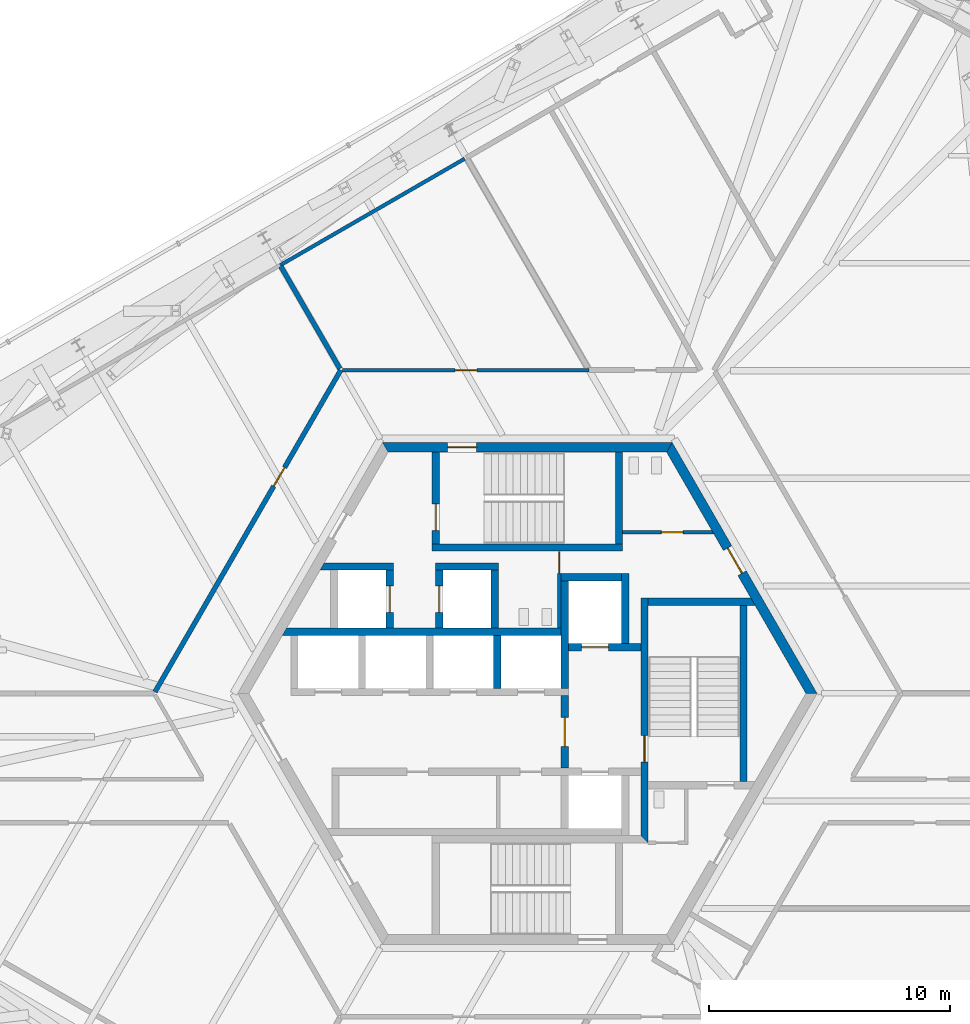
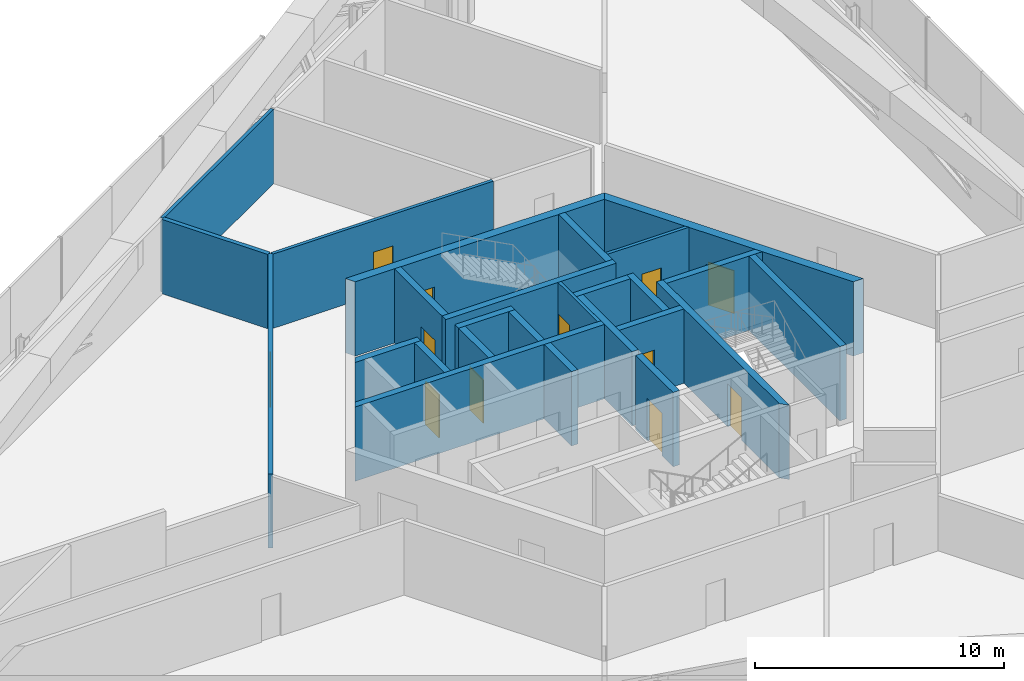
# One storey, part 16 of 23: 26 walls, 12 doors, 12 openings.
"""IFC4 building model written with IfcOpenShell, lengths in metres."""

from ifc_helpers import new_model, si_unit, direction, frame, frame_2d, origin, place, context, subcontext, project, spatial, polyline, rectangle, outline, extrude, source, transform, mapped, material, layer, layer_set, type_object, element, fill, save


model = new_model("IFC4")

# Units and contexts
model_context = context("Model", 3, precision=1e-05, world=origin(), true_north=direction((0.0, 1.0)))
body_context = subcontext(model_context, "Body", "Model", "MODEL_VIEW")
ifc_project = project(units=[si_unit("LENGTHUNIT", "METRE"), si_unit("AREAUNIT", "SQUARE_METRE"), si_unit("VOLUMEUNIT", "CUBIC_METRE"), si_unit("PLANEANGLEUNIT", "RADIAN"), si_unit("MASSUNIT", "GRAM", prefix="KILO")], contexts=[model_context])

# Site, building, storey
site_placement = place(None, origin())
site = spatial("IfcSite", under=ifc_project, at=site_placement, CompositionType="ELEMENT")
building_placement = place(site_placement, origin())
building = spatial("IfcBuilding", under=site, at=building_placement, Name="Triune Harvest Tower", CompositionType="ELEMENT")
storey_placement = place(building_placement, frame((0.0, 0.0, 54.699951171875)))
storey = spatial("IfcBuildingStorey", under=building, at=storey_placement, Name="L12", CompositionType="ELEMENT", Elevation=54.699951171875)

# Wall, opening, door
ifc_material_1 = material(Name="Gypsum board on steel studs", Category="steel")
ifc_layer_1 = layer(ifc_material_1, 0.14990234375)
ifc_layer_set_1 = layer_set([ifc_layer_1], Name="Gypsum board on steel studs")
wall_type_1 = type_object("IfcWallType", Name="Fire Partition 150 mm", PredefinedType="PARTITIONING", material=ifc_layer_set_1)
wall_1_placement = place(storey_placement, frame((-7.662109375, 13.392333984375, 0.0), z_axis=(0.0, 0.0, 1.0), x_axis=(1.0, 0.0, 0.0)))
wall_1 = element("IfcWall", 1, at=wall_1_placement, inside=storey, type_object=wall_type_1, Name="Partition L12 027", PredefinedType="PARTITIONING", context=body_context, shape_type="SweptSolid", body=[
    extrude(rectangle(XDim=10.215087890625, YDim=0.14990234375, at=frame_2d((5.107421875, 0.0))), origin(), (0.0, 0.0, 1.0), 3.64013671875),
])
opening_1_placement = place(wall_1_placement, frame((4.66845703125, 0.0, 0.0)))
opening_1 = element("IfcOpeningElement", 2, at=opening_1_placement, cuts=wall_1, Name="Opening L12-009", PredefinedType="OPENING", context=body_context, shape_type="SweptSolid", body=[
    extrude(rectangle(XDim=0.89990234375, YDim=2.10009765625, at=frame_2d((0.449951171875, 1.050048828125))), frame((0.0, 0.0849609375, 0.0), z_axis=(0.0, -1.0, 0.0), x_axis=(1.0, 0.0, 0.0)), (0.0, 0.0, 1.0), 0.169921875),
])
ifc_material_2 = material(Name="Timber and steel door set", Category="steel")
door_type_1 = type_object("IfcDoorType", Name="Single leaf door FD30 right hand 900 x 2100", OperationType="SINGLE_SWING_RIGHT", PredefinedType="DOOR", material=ifc_material_2)
door_1_placement = place(opening_1_placement, origin())
door_1 = element("IfcDoor", 3, at=door_1_placement, inside=storey, type_object=door_type_1, Name="Door L12-009 Dry Store Room 12.09", OperationType="SINGLE_SWING_RIGHT", OverallHeight=2.10009765625, OverallWidth=0.89990234375, PredefinedType="DOOR", context=body_context, shape_type="SweptSolid", body=[
    extrude(rectangle(XDim=0.89990234375, YDim=2.10009765625, at=frame_2d((0.449951171875, 1.050048828125))), frame((0.0, 0.02490234375, 0.0), z_axis=(0.0, -1.0, 0.0), x_axis=(1.0, 0.0, 0.0)), (0.0, 0.0, 1.0), 0.050048828125),
])
fill(opening_1, door_1)

# Walls
wall_2_placement = place(storey_placement, frame((-10.238037109375, 17.739013671875, 0.0), z_axis=(0.0, 0.0, 1.0), x_axis=(0.866026163676, 0.499998683827, 0.0)))
element("IfcWall", 4, at=wall_2_placement, inside=storey, type_object=wall_type_1, Name="Partition L12 033", PredefinedType="PARTITIONING", context=body_context, shape_type="SweptSolid", body=[
    extrude(rectangle(XDim=8.82373046875, YDim=0.14990234375, at=frame_2d((4.411865234375, 0.0))), origin(), (0.0, 0.0, 1.0), 3.64013671875),
])
ifc_material_3 = material(Name="Gypsum board on steel studs", Category="steel")
ifc_layer_2 = layer(ifc_material_3, 0.199951171875)
ifc_layer_set_2 = layer_set([ifc_layer_2], Name="Gypsum board on steel studs")
wall_type_2 = type_object("IfcWallType", Name="Fire Wall 200 mm", PredefinedType="PARTITIONING", material=ifc_layer_set_2)
wall_3_placement = place(storey_placement, frame((-10.215576171875, 17.694091796875, 0.0), z_axis=(0.0, 0.0, 1.0), x_axis=(0.500010136897, -0.866019551165, 0.0)))
element("IfcWall", 5, at=wall_3_placement, inside=storey, type_object=wall_type_2, Name="Partition L12 003", PredefinedType="PARTITIONING", context=body_context, shape_type="SweptSolid", body=[
    extrude(rectangle(XDim=4.8974609375, YDim=0.199951171875, at=frame_2d((2.44873046875, 0.0))), origin(), (0.0, 0.0, 1.0), 3.64013671875),
])

# Wall, opening, door
ifc_material_4 = material(Name="Concrete 70 MPa", Category="concrete")
ifc_layer_3 = layer(ifc_material_4, 0.39990234375)
ifc_layer_set_3 = layer_set([ifc_layer_3], Name="Concrete 70 MPa")
wall_type_3 = type_object("IfcWallType", Name="Core wall 400", PredefinedType="SHEAR", material=ifc_layer_set_3)
shared_shape_1 = source(origin(), body_context, "Body", "SweptSolid", [
    extrude(outline(polyline([(-0.115478515625, -0.199951171875), (11.884521484375, -0.199951171875), (11.653564453125, 0.199951171875), (0.115478515625, 0.199951171875), (-0.115478515625, -0.199951171875)])), origin(), (0.0, 0.0, 1.0), 3.64013671875),
])
wall_4_placement = place(storey_placement, frame((11.76904296875, 0.0, 0.0), z_axis=(0.0, 0.0, 1.0), x_axis=(-0.499996592174, 0.866027371285, 0.0)))
wall_4 = element("IfcWall", 6, at=wall_4_placement, inside=storey, type_object=wall_type_3, Name="Hexagon 0 wall", PredefinedType="SHEAR", context=body_context, shape_type="MappedRepresentation", body=[
    mapped(shared_shape_1, transform((0.0, 0.0, 0.0), scale=1.0)),
])
opening_2_placement = place(wall_4_placement, frame((5.75048828125, 0.0, 0.0)))
opening_2 = element("IfcOpeningElement", 7, at=opening_2_placement, cuts=wall_4, Name="Opening CD-WCP", PredefinedType="OPENING", context=body_context, shape_type="SweptSolid", body=[
    extrude(rectangle(XDim=1.199951171875, YDim=2.10009765625, at=frame_2d((0.60009765625, 1.050048828125))), frame((0.0, 0.2099609375, 0.0), z_axis=(0.0, -1.0, 0.0), x_axis=(1.0, 0.0, 0.0)), (0.0, 0.0, 1.0), 0.419921875),
])
ifc_material_5 = material(Name="Steel S235", Category="steel")
door_type_2 = type_object("IfcDoorType", Name="Lobby door 1200 FD120", OperationType="SINGLE_SWING_LEFT", PredefinedType="DOOR", material=ifc_material_5)
door_2_placement = place(opening_2_placement, frame((1.199951171875, 0.0, 0.0), z_axis=(0.0, 0.0, 1.0), x_axis=(-1.0, 0.0, 0.0)))
door_2 = element("IfcDoor", 8, at=door_2_placement, inside=storey, type_object=door_type_2, Name="Door CD-WCP", OperationType="SINGLE_SWING_RIGHT", OverallHeight=2.10009765625, OverallWidth=1.199951171875, PredefinedType="DOOR", context=body_context, shape_type="SweptSolid", body=[
    extrude(rectangle(XDim=1.199951171875, YDim=2.10009765625, at=frame_2d((0.60009765625, 1.050048828125))), frame((0.0, 0.02490234375, 0.0), z_axis=(0.0, -1.0, 0.0), x_axis=(1.0, 0.0, 0.0)), (0.0, 0.0, 1.0), 0.050048828125),
])
fill(opening_2, door_2)

wall_5_placement = place(storey_placement, frame((5.884521484375, 10.1923828125, 0.0), z_axis=(0.0, 0.0, 1.0), x_axis=(-1.0, 0.0, 0.0)))
wall_5 = element("IfcWall", 9, at=wall_5_placement, inside=storey, type_object=wall_type_3, Name="Hexagon 1 wall", PredefinedType="SHEAR", context=body_context, shape_type="MappedRepresentation", body=[
    mapped(shared_shape_1, transform((0.0, 0.0, 0.0), scale=1.0)),
])
opening_3_placement = place(wall_5_placement, frame((7.984619140625, 0.0, 0.0)))
opening_3 = element("IfcOpeningElement", 10, at=opening_3_placement, cuts=wall_5, Name="Opening CD-S1P", PredefinedType="OPENING", context=body_context, shape_type="SweptSolid", body=[
    extrude(rectangle(XDim=1.199951171875, YDim=2.10009765625, at=frame_2d((0.60009765625, 1.050048828125))), frame((0.0, 0.2099609375, 0.0), z_axis=(0.0, -1.0, 0.0), x_axis=(1.0, 0.0, 0.0)), (0.0, 0.0, 1.0), 0.419921875),
])
ifc_material_6 = material(Name="Steel S235", Category="steel")
door_type_3 = type_object("IfcDoorType", Name="Stair door 1200 FD120", OperationType="SINGLE_SWING_LEFT", PredefinedType="DOOR", material=ifc_material_6)
door_3_placement = place(opening_3_placement, frame((1.199951171875, 0.0, 0.0), z_axis=(0.0, 0.0, 1.0), x_axis=(-1.0, 0.0, 0.0)))
door_3 = element("IfcDoor", 11, at=door_3_placement, inside=storey, type_object=door_type_3, Name="Door CD-S1P", OperationType="SINGLE_SWING_RIGHT", OverallHeight=2.10009765625, OverallWidth=1.199951171875, PredefinedType="DOOR", context=body_context, shape_type="SweptSolid", body=[
    extrude(rectangle(XDim=1.199951171875, YDim=2.10009765625, at=frame_2d((0.60009765625, 1.050048828125))), frame((0.0, 0.02490234375, 0.0), z_axis=(0.0, -1.0, 0.0), x_axis=(1.0, 0.0, 0.0)), (0.0, 0.0, 1.0), 0.050048828125),
])
fill(opening_3, door_3)

# Walls
ifc_material_7 = material(Name="Concrete 70 MPa", Category="concrete")
ifc_layer_4 = layer(ifc_material_7, 0.300048828125)
ifc_layer_set_4 = layer_set([ifc_layer_4], Name="Concrete 70 MPa")
wall_type_4 = type_object("IfcWallType", Name="Core wall 300", PredefinedType="SHEAR", material=ifc_layer_set_4)
shared_shape_2 = source(origin(), body_context, "Body", "SweptSolid", [
    extrude(outline(polyline([(11.199951171875, -0.14990234375), (-0.34912109375, -0.14990234375), (-0.17578125, 0.14990234375), (11.199951171875, 0.14990234375), (11.199951171875, -0.14990234375)])), origin(), (0.0, 0.0, 1.0), 3.64013671875),
])
wall_6_placement = place(storey_placement, frame((-9.800048828125, 2.56005859375, 0.0), z_axis=(0.0, 0.0, 1.0), x_axis=(1.0, 0.0, 0.0)))
element("IfcWall", 12, at=wall_6_placement, inside=storey, type_object=wall_type_4, Name="North back wall", PredefinedType="SHEAR", context=body_context, shape_type="MappedRepresentation", body=[
    mapped(shared_shape_2, transform((0.0, 0.0, 0.0), scale=1.0)),
])
shared_shape_3 = source(origin(), body_context, "Body", "SweptSolid", [
    extrude(rectangle(XDim=2.5, YDim=0.300048828125, at=frame_2d((1.25, 0.0))), origin(), (0.0, 0.0, 1.0), 3.64013671875),
])
wall_7_placement = place(storey_placement, frame((1.39990234375, 4.81005859375, 0.0), z_axis=(0.0, 0.0, 1.0), x_axis=(1.0, 0.0, 0.0)))
element("IfcWall", 13, at=wall_7_placement, inside=storey, type_object=wall_type_4, Name="Ff1 back wall", PredefinedType="SHEAR", context=body_context, shape_type="MappedRepresentation", body=[
    mapped(shared_shape_3, transform((0.0, 0.0, 0.0), scale=1.0)),
])
shared_shape_4 = source(origin(), body_context, "Body", "SweptSolid", [
    extrude(rectangle(XDim=4.449951171875, YDim=0.300048828125, at=frame_2d((2.22509765625, 0.0))), origin(), (0.0, 0.0, 1.0), 3.64013671875),
])
wall_8_placement = place(storey_placement, frame((1.550048828125, 0.2099609375, 0.0), z_axis=(0.0, 0.0, 1.0), x_axis=(0.0, 1.0, 0.0)))
element("IfcWall", 14, at=wall_8_placement, inside=storey, type_object=wall_type_4, Name="Ff1 west wall", PredefinedType="SHEAR", context=body_context, shape_type="MappedRepresentation", body=[
    mapped(shared_shape_4, transform((0.0, 0.0, 0.0), scale=1.0)),
])

# Wall, opening, door
shared_shape_5 = source(origin(), body_context, "Body", "SweptSolid", [
    extrude(rectangle(XDim=3.0, YDim=0.300048828125, at=frame_2d((1.5, 0.0))), origin(), (0.0, 0.0, 1.0), 3.64013671875),
])
wall_9_placement = place(storey_placement, frame((1.699951171875, 1.909912109375, 0.0), z_axis=(0.0, 0.0, 1.0), x_axis=(1.0, 0.0, 0.0)))
wall_9 = element("IfcWall", 15, at=wall_9_placement, inside=storey, type_object=wall_type_4, Name="Ff1 front wall", PredefinedType="SHEAR", context=body_context, shape_type="MappedRepresentation", body=[
    mapped(shared_shape_5, transform((0.0, 0.0, 0.0), scale=1.0)),
])
opening_4_placement = place(wall_9_placement, frame((0.550048828125, 0.0, 0.0)))
opening_4 = element("IfcOpeningElement", 16, at=opening_4_placement, cuts=wall_9, Name="Opening LD-FF1-12", PredefinedType="OPENING", context=body_context, shape_type="SweptSolid", body=[
    extrude(rectangle(XDim=1.10009765625, YDim=2.10009765625, at=frame_2d((0.550048828125, 1.050048828125))), frame((0.0, 0.16015625, 0.0), z_axis=(0.0, -1.0, 0.0), x_axis=(1.0, 0.0, 0.0)), (0.0, 0.0, 1.0), 0.320068359375),
])
ifc_material_8 = material(Name="Stainless steel AISI 304", Category="steel")
door_type_4 = type_object("IfcDoorType", Name="Landing door 1100 x 2100", OperationType="DOUBLE_DOOR_SLIDING", PredefinedType="DOOR", material=ifc_material_8)
door_4_placement = place(opening_4_placement, origin())
door_4 = element("IfcDoor", 17, at=door_4_placement, inside=storey, type_object=door_type_4, Name="Door LD-FF1-12", OperationType="DOUBLE_DOOR_SLIDING", OverallHeight=2.10009765625, OverallWidth=1.10009765625, PredefinedType="DOOR", context=body_context, shape_type="SweptSolid", body=[
    extrude(rectangle(XDim=1.10009765625, YDim=2.10009765625, at=frame_2d((0.550048828125, 1.050048828125))), frame((0.0, 0.02490234375, 0.0), z_axis=(0.0, -1.0, 0.0), x_axis=(1.0, 0.0, 0.0)), (0.0, 0.0, 1.0), 0.050048828125),
])
fill(opening_4, door_4)

wall_10_placement = place(storey_placement, frame((1.550048828125, -3.090087890625, 0.0), z_axis=(0.0, 0.0, 1.0), x_axis=(0.0, 1.0, 0.0)))
wall_10 = element("IfcWall", 18, at=wall_10_placement, inside=storey, type_object=wall_type_4, Name="Ff lobby west wall", PredefinedType="SHEAR", context=body_context, shape_type="MappedRepresentation", body=[
    mapped(shared_shape_5, transform((0.0, 0.0, 0.0), scale=1.0)),
])
opening_5_placement = place(wall_10_placement, frame((0.89990234375, 0.0, 0.0)))
opening_5 = element("IfcOpeningElement", 19, at=opening_5_placement, cuts=wall_10, Name="Opening CD-FL", PredefinedType="OPENING", context=body_context, shape_type="SweptSolid", body=[
    extrude(rectangle(XDim=1.199951171875, YDim=2.10009765625, at=frame_2d((0.60009765625, 1.050048828125))), frame((0.0, 0.16015625, 0.0), z_axis=(0.0, -1.0, 0.0), x_axis=(1.0, 0.0, 0.0)), (0.0, 0.0, 1.0), 0.320068359375),
])
ifc_material_9 = material(Name="Steel S235", Category="steel")
door_type_5 = type_object("IfcDoorType", Name="Firefighters' lobby door 1200 FD120", OperationType="SINGLE_SWING_LEFT", PredefinedType="DOOR", material=ifc_material_9)
door_5_placement = place(opening_5_placement, frame((1.199951171875, 0.0, 0.0), z_axis=(0.0, 0.0, 1.0), x_axis=(-1.0, 0.0, 0.0)))
door_5 = element("IfcDoor", 20, at=door_5_placement, inside=storey, type_object=door_type_5, Name="Door CD-FL", OperationType="SINGLE_SWING_RIGHT", OverallHeight=2.10009765625, OverallWidth=1.199951171875, PredefinedType="DOOR", context=body_context, shape_type="SweptSolid", body=[
    extrude(rectangle(XDim=1.199951171875, YDim=2.10009765625, at=frame_2d((0.60009765625, 1.050048828125))), frame((0.0, 0.02490234375, 0.0), z_axis=(0.0, -1.0, 0.0), x_axis=(1.0, 0.0, 0.0)), (0.0, 0.0, 1.0), 0.050048828125),
])
fill(opening_5, door_5)

# Walls
shared_shape_6 = source(origin(), body_context, "Body", "SweptSolid", [
    extrude(rectangle(XDim=2.89990234375, YDim=0.300048828125, at=frame_2d((1.449951171875, 0.0))), origin(), (0.0, 0.0, 1.0), 3.64013671875),
])
wall_11_placement = place(storey_placement, frame((4.050048828125, 2.06005859375, 0.0), z_axis=(0.0, 0.0, 1.0), x_axis=(0.0, 1.0, 0.0)))
element("IfcWall", 21, at=wall_11_placement, inside=storey, type_object=wall_type_4, Name="Ff1 east wall", PredefinedType="SHEAR", context=body_context, shape_type="MappedRepresentation", body=[
    mapped(shared_shape_6, transform((0.0, 0.0, 0.0), scale=1.0)),
])
shared_shape_7 = source(origin(), body_context, "Body", "SweptSolid", [
    extrude(rectangle(XDim=2.199951171875, YDim=0.300048828125, at=frame_2d((1.10009765625, 0.0))), origin(), (0.0, 0.0, 1.0), 3.64013671875),
])
wall_12_placement = place(storey_placement, frame((-1.25, 0.2099609375, 0.0), z_axis=(0.0, 0.0, 1.0), x_axis=(0.0, 1.0, 0.0)))
element("IfcWall", 22, at=wall_12_placement, inside=storey, type_object=wall_type_4, Name="North cross 3 wall", PredefinedType="SHEAR", context=body_context, shape_type="MappedRepresentation", body=[
    mapped(shared_shape_7, transform((0.0, 0.0, 0.0), scale=1.0)),
])

# Wall, opening, door
shared_shape_8 = source(origin(), body_context, "Body", "SweptSolid", [
    extrude(outline(polyline([(-0.14990234375, -0.14990234375), (9.989990234375, -0.14990234375), (9.989990234375, 0.14990234375), (0.14990234375, 0.14990234375), (-0.14990234375, -0.14990234375)])), origin(), (0.0, 0.0, 1.0), 3.64013671875),
])
wall_13_placement = place(storey_placement, frame((4.85009765625, -6.0400390625, 0.0), z_axis=(0.0, 0.0, 1.0), x_axis=(0.0, 1.0, 0.0)))
wall_13 = element("IfcWall", 23, at=wall_13_placement, inside=storey, type_object=wall_type_4, Name="Stair e west wall", PredefinedType="SHEAR", context=body_context, shape_type="MappedRepresentation", body=[
    mapped(shared_shape_8, transform((0.0, 0.0, 0.0), scale=1.0)),
])
opening_6_placement = place(wall_13_placement, frame((3.18994140625, 0.0, 0.0)))
opening_6 = element("IfcOpeningElement", 24, at=opening_6_placement, cuts=wall_13, Name="Opening CD-S3L", PredefinedType="OPENING", context=body_context, shape_type="SweptSolid", body=[
    extrude(rectangle(XDim=1.10009765625, YDim=2.10009765625, at=frame_2d((0.550048828125, 1.050048828125))), frame((0.0, 0.16015625, 0.0), z_axis=(0.0, -1.0, 0.0), x_axis=(1.0, 0.0, 0.0)), (0.0, 0.0, 1.0), 0.320068359375),
])
ifc_material_10 = material(Name="Steel S235", Category="steel")
door_type_6 = type_object("IfcDoorType", Name="Stair door 1100 FD120", OperationType="SINGLE_SWING_LEFT", PredefinedType="DOOR", material=ifc_material_10)
door_6_placement = place(opening_6_placement, frame((1.10009765625, 0.0, 0.0), z_axis=(0.0, 0.0, 1.0), x_axis=(-1.0, 0.0, 0.0)))
door_6 = element("IfcDoor", 25, at=door_6_placement, inside=storey, type_object=door_type_6, Name="Door CD-S3L", OperationType="SINGLE_SWING_RIGHT", OverallHeight=2.10009765625, OverallWidth=1.10009765625, PredefinedType="DOOR", context=body_context, shape_type="SweptSolid", body=[
    extrude(rectangle(XDim=1.10009765625, YDim=2.10009765625, at=frame_2d((0.550048828125, 1.050048828125))), frame((0.0, 0.02490234375, 0.0), z_axis=(0.0, -1.0, 0.0), x_axis=(1.0, 0.0, 0.0)), (0.0, 0.0, 1.0), 0.050048828125),
])
fill(opening_6, door_6)

# Walls
shared_shape_9 = source(origin(), body_context, "Body", "SweptSolid", [
    extrude(outline(polyline([(0.0, -0.14990234375), (0.0, 0.14990234375), (4.260009765625, 0.14990234375), (4.43310546875, -0.14990234375), (0.0, -0.14990234375)])), origin(), (0.0, 0.0, 1.0), 3.64013671875),
])
wall_14_placement = place(storey_placement, frame((5.0, 3.800048828125, 0.0), z_axis=(0.0, 0.0, 1.0), x_axis=(1.0, 0.0, 0.0)))
element("IfcWall", 26, at=wall_14_placement, inside=storey, type_object=wall_type_4, Name="Stair e north wall", PredefinedType="SHEAR", context=body_context, shape_type="MappedRepresentation", body=[
    mapped(shared_shape_9, transform((0.0, 0.0, 0.0), scale=1.0)),
])
shared_shape_10 = source(origin(), body_context, "Body", "SweptSolid", [
    extrude(rectangle(XDim=7.2998046875, YDim=0.300048828125, at=frame_2d((3.64990234375, 0.0))), origin(), (0.0, 0.0, 1.0), 3.64013671875),
])
wall_15_placement = place(storey_placement, frame((8.949951171875, -3.64990234375, 0.0), z_axis=(0.0, 0.0, 1.0), x_axis=(0.0, 1.0, 0.0)))
element("IfcWall", 27, at=wall_15_placement, inside=storey, type_object=wall_type_4, Name="Stair e east wall", PredefinedType="SHEAR", context=body_context, shape_type="MappedRepresentation", body=[
    mapped(shared_shape_10, transform((0.0, 0.0, 0.0), scale=1.0)),
])
shared_shape_11 = source(origin(), body_context, "Body", "SweptSolid", [
    extrude(rectangle(XDim=7.89990234375, YDim=0.300048828125, at=frame_2d((3.949951171875, 0.0))), origin(), (0.0, 0.0, 1.0), 3.64013671875),
])
wall_16_placement = place(storey_placement, frame((-3.949951171875, 6.0400390625, 0.0), z_axis=(0.0, 0.0, 1.0), x_axis=(1.0, 0.0, 0.0)))
element("IfcWall", 28, at=wall_16_placement, inside=storey, type_object=wall_type_4, Name="Stair n south wall", PredefinedType="SHEAR", context=body_context, shape_type="MappedRepresentation", body=[
    mapped(shared_shape_11, transform((0.0, 0.0, 0.0), scale=1.0)),
])

# Wall, opening, door
shared_shape_12 = source(origin(), body_context, "Body", "SweptSolid", [
    extrude(outline(polyline([(0.0, -0.14990234375), (0.0, 0.14990234375), (3.80419921875, 0.14990234375), (3.80419921875, -0.14990234375), (0.0, -0.14990234375)])), origin(), (0.0, 0.0, 1.0), 3.64013671875),
])
wall_17_placement = place(storey_placement, frame((-3.800048828125, 6.18994140625, 0.0), z_axis=(0.0, 0.0, 1.0), x_axis=(0.0, 1.0, 0.0)))
wall_17 = element("IfcWall", 29, at=wall_17_placement, inside=storey, type_object=wall_type_4, Name="Stair n west wall", PredefinedType="SHEAR", context=body_context, shape_type="MappedRepresentation", body=[
    mapped(shared_shape_12, transform((0.0, 0.0, 0.0), scale=1.0)),
])
opening_7_placement = place(wall_17_placement, frame((0.56005859375, 0.0, 0.0)))
opening_7 = element("IfcOpeningElement", 30, at=opening_7_placement, cuts=wall_17, Name="Opening CD-S1L", PredefinedType="OPENING", context=body_context, shape_type="SweptSolid", body=[
    extrude(rectangle(XDim=1.10009765625, YDim=2.10009765625, at=frame_2d((0.550048828125, 1.050048828125))), frame((0.0, 0.16015625, 0.0), z_axis=(0.0, -1.0, 0.0), x_axis=(1.0, 0.0, 0.0)), (0.0, 0.0, 1.0), 0.320068359375),
])
door_7_placement = place(opening_7_placement, frame((1.10009765625, 0.0, 0.0), z_axis=(0.0, 0.0, 1.0), x_axis=(-1.0, 0.0, 0.0)))
door_7 = element("IfcDoor", 31, at=door_7_placement, inside=storey, type_object=door_type_6, Name="Door CD-S1L", OperationType="SINGLE_SWING_RIGHT", OverallHeight=2.10009765625, OverallWidth=1.10009765625, PredefinedType="DOOR", context=body_context, shape_type="SweptSolid", body=[
    extrude(rectangle(XDim=1.10009765625, YDim=2.10009765625, at=frame_2d((0.550048828125, 1.050048828125))), frame((0.0, 0.02490234375, 0.0), z_axis=(0.0, -1.0, 0.0), x_axis=(1.0, 0.0, 0.0)), (0.0, 0.0, 1.0), 0.050048828125),
])
fill(opening_7, door_7)

# Walls
wall_18_placement = place(storey_placement, frame((3.800048828125, 6.18994140625, 0.0), z_axis=(0.0, 0.0, 1.0), x_axis=(0.0, 1.0, 0.0)))
element("IfcWall", 32, at=wall_18_placement, inside=storey, type_object=wall_type_4, Name="Stair n east wall", PredefinedType="SHEAR", context=body_context, shape_type="MappedRepresentation", body=[
    mapped(shared_shape_12, transform((0.0, 0.0, 0.0), scale=1.0)),
])
shared_shape_13 = source(origin(), body_context, "Body", "SweptSolid", [
    extrude(outline(polyline([(2.60009765625, -0.14990234375), (-0.440185546875, -0.14990234375), (-0.26708984375, 0.14990234375), (2.60009765625, 0.14990234375), (2.60009765625, -0.14990234375)])), origin(), (0.0, 0.0, 1.0), 3.64013671875),
])
wall_19_placement = place(storey_placement, frame((-8.14990234375, 5.260009765625, 0.0), z_axis=(0.0, 0.0, 1.0), x_axis=(1.0, 0.0, 0.0)))
element("IfcWall", 33, at=wall_19_placement, inside=storey, type_object=wall_type_4, Name="Sv1 north wall", PredefinedType="SHEAR", context=body_context, shape_type="MappedRepresentation", body=[
    mapped(shared_shape_13, transform((0.0, 0.0, 0.0), scale=1.0)),
])

# Wall, opening, door
shared_shape_14 = source(origin(), body_context, "Body", "SweptSolid", [
    extrude(rectangle(XDim=2.400146484375, YDim=0.300048828125, at=frame_2d((1.2001953125, 0.0))), origin(), (0.0, 0.0, 1.0), 3.64013671875),
])
wall_20_placement = place(storey_placement, frame((-5.699951171875, 2.7099609375, 0.0), z_axis=(0.0, 0.0, 1.0), x_axis=(0.0, 1.0, 0.0)))
wall_20 = element("IfcWall", 34, at=wall_20_placement, inside=storey, type_object=wall_type_4, Name="Sv1 east wall", PredefinedType="SHEAR", context=body_context, shape_type="MappedRepresentation", body=[
    mapped(shared_shape_14, transform((0.0, 0.0, 0.0), scale=1.0)),
])
opening_8_placement = place(wall_20_placement, frame((0.64990234375, 0.0, 0.0)))
opening_8 = element("IfcOpeningElement", 35, at=opening_8_placement, cuts=wall_20, Name="Opening LD-SV1-12", PredefinedType="OPENING", context=body_context, shape_type="SweptSolid", body=[
    extrude(rectangle(XDim=1.10009765625, YDim=2.10009765625, at=frame_2d((0.550048828125, 1.050048828125))), frame((0.0, 0.16015625, 0.0), z_axis=(0.0, -1.0, 0.0), x_axis=(1.0, 0.0, 0.0)), (0.0, 0.0, 1.0), 0.320068359375),
])
door_8_placement = place(opening_8_placement, origin())
door_8 = element("IfcDoor", 36, at=door_8_placement, inside=storey, type_object=door_type_4, Name="Door LD-SV1-12", OperationType="DOUBLE_DOOR_SLIDING", OverallHeight=2.10009765625, OverallWidth=1.10009765625, PredefinedType="DOOR", context=body_context, shape_type="SweptSolid", body=[
    extrude(rectangle(XDim=1.10009765625, YDim=2.10009765625, at=frame_2d((0.550048828125, 1.050048828125))), frame((0.0, 0.02490234375, 0.0), z_axis=(0.0, -1.0, 0.0), x_axis=(1.0, 0.0, 0.0)), (0.0, 0.0, 1.0), 0.050048828125),
])
fill(opening_8, door_8)

wall_21_placement = place(storey_placement, frame((-3.64990234375, 2.7099609375, 0.0), z_axis=(0.0, 0.0, 1.0), x_axis=(0.0, 1.0, 0.0)))
wall_21 = element("IfcWall", 37, at=wall_21_placement, inside=storey, type_object=wall_type_4, Name="Sv2 west wall", PredefinedType="SHEAR", context=body_context, shape_type="MappedRepresentation", body=[
    mapped(shared_shape_14, transform((0.0, 0.0, 0.0), scale=1.0)),
])
opening_9_placement = place(wall_21_placement, frame((0.64990234375, 0.0, 0.0)))
opening_9 = element("IfcOpeningElement", 38, at=opening_9_placement, cuts=wall_21, Name="Opening LD-SV2-12", PredefinedType="OPENING", context=body_context, shape_type="SweptSolid", body=[
    extrude(rectangle(XDim=1.10009765625, YDim=2.10009765625, at=frame_2d((0.550048828125, 1.050048828125))), frame((0.0, 0.16015625, 0.0), z_axis=(0.0, -1.0, 0.0), x_axis=(1.0, 0.0, 0.0)), (0.0, 0.0, 1.0), 0.320068359375),
])
door_9_placement = place(opening_9_placement, origin())
door_9 = element("IfcDoor", 39, at=door_9_placement, inside=storey, type_object=door_type_4, Name="Door LD-SV2-12", OperationType="DOUBLE_DOOR_SLIDING", OverallHeight=2.10009765625, OverallWidth=1.10009765625, PredefinedType="DOOR", context=body_context, shape_type="SweptSolid", body=[
    extrude(rectangle(XDim=1.10009765625, YDim=2.10009765625, at=frame_2d((0.550048828125, 1.050048828125))), frame((0.0, 0.02490234375, 0.0), z_axis=(0.0, -1.0, 0.0), x_axis=(1.0, 0.0, 0.0)), (0.0, 0.0, 1.0), 0.050048828125),
])
fill(opening_9, door_9)

# Walls
wall_22_placement = place(storey_placement, frame((-1.35009765625, 2.7099609375, 0.0), z_axis=(0.0, 0.0, 1.0), x_axis=(0.0, 1.0, 0.0)))
element("IfcWall", 40, at=wall_22_placement, inside=storey, type_object=wall_type_4, Name="Sv2 east wall", PredefinedType="SHEAR", context=body_context, shape_type="MappedRepresentation", body=[
    mapped(shared_shape_14, transform((0.0, 0.0, 0.0), scale=1.0)),
])
shared_shape_15 = source(origin(), body_context, "Body", "SweptSolid", [
    extrude(rectangle(XDim=2.60009765625, YDim=0.300048828125, at=frame_2d((1.300048828125, 0.0))), origin(), (0.0, 0.0, 1.0), 3.64013671875),
])
wall_23_placement = place(storey_placement, frame((-3.800048828125, 5.260009765625, 0.0), z_axis=(0.0, 0.0, 1.0), x_axis=(1.0, 0.0, 0.0)))
element("IfcWall", 41, at=wall_23_placement, inside=storey, type_object=wall_type_4, Name="Sv2 north wall", PredefinedType="SHEAR", context=body_context, shape_type="MappedRepresentation", body=[
    mapped(shared_shape_15, transform((0.0, 0.0, 0.0), scale=1.0)),
])

# Wall, opening, door
ifc_material_11 = material(Name="Concrete masonry unit", Category="masonry")
ifc_layer_5 = layer(ifc_material_11, 0.14990234375)
ifc_layer_set_5 = layer_set([ifc_layer_5], Name="Concrete masonry unit")
wall_type_5 = type_object("IfcWallType", Name="Block partition 150 unrated", PredefinedType="PARTITIONING", material=ifc_layer_set_5)
shared_shape_16 = source(origin(), body_context, "Body", "SweptSolid", [
    extrude(rectangle(XDim=3.179931640625, YDim=0.14990234375, at=frame_2d((1.58984375, 0.0))), origin(), (0.0, 0.0, 1.0), 3.64013671875),
])
wall_24_placement = place(storey_placement, frame((1.324951171875, 2.7099609375, 0.0), z_axis=(0.0, 0.0, 1.0), x_axis=(0.0, 1.0, 0.0)))
wall_24 = element("IfcWall", 42, at=wall_24_placement, inside=storey, type_object=wall_type_5, Name="Wc men east wall", PredefinedType="PARTITIONING", context=body_context, shape_type="MappedRepresentation", body=[
    mapped(shared_shape_16, transform((0.0, 0.0, 0.0), scale=1.0)),
])
opening_10_placement = place(wall_24_placement, frame((2.264892578125, 0.0, 0.0)))
opening_10 = element("IfcOpeningElement", 43, at=opening_10_placement, cuts=wall_24, Name="Opening CD-WM", PredefinedType="OPENING", context=body_context, shape_type="SweptSolid", body=[
    extrude(rectangle(XDim=0.89990234375, YDim=2.10009765625, at=frame_2d((0.449951171875, 1.050048828125))), frame((0.0, 0.0849609375, 0.0), z_axis=(0.0, -1.0, 0.0), x_axis=(1.0, 0.0, 0.0)), (0.0, 0.0, 1.0), 0.169921875),
])
ifc_material_12 = material(Name="Timber C24", Category="wood")
door_type_7 = type_object("IfcDoorType", Name="WC door 900", OperationType="SINGLE_SWING_LEFT", PredefinedType="DOOR", material=ifc_material_12)
door_10_placement = place(opening_10_placement, origin())
door_10 = element("IfcDoor", 44, at=door_10_placement, inside=storey, type_object=door_type_7, Name="Door CD-WM", OperationType="SINGLE_SWING_LEFT", OverallHeight=2.10009765625, OverallWidth=0.89990234375, PredefinedType="DOOR", context=body_context, shape_type="SweptSolid", body=[
    extrude(rectangle(XDim=0.89990234375, YDim=2.10009765625, at=frame_2d((0.449951171875, 1.050048828125))), frame((0.0, 0.02490234375, 0.0), z_axis=(0.0, -1.0, 0.0), x_axis=(1.0, 0.0, 0.0)), (0.0, 0.0, 1.0), 0.050048828125),
])
fill(opening_10, door_10)

shared_shape_17 = source(origin(), body_context, "Body", "SweptSolid", [
    extrude(outline(polyline([(0.0, -0.074951171875), (0.0, 0.074951171875), (3.693359375, 0.074951171875), (3.77978515625, -0.074951171875), (0.0, -0.074951171875)])), origin(), (0.0, 0.0, 1.0), 3.64013671875),
])
wall_25_placement = place(storey_placement, frame((3.949951171875, 6.675048828125, 0.0), z_axis=(0.0, 0.0, 1.0), x_axis=(1.0, 0.0, 0.0)))
wall_25 = element("IfcWall", 45, at=wall_25_placement, inside=storey, type_object=wall_type_5, Name="Wc women south wall", PredefinedType="PARTITIONING", context=body_context, shape_type="MappedRepresentation", body=[
    mapped(shared_shape_17, transform((0.0, 0.0, 0.0), scale=1.0)),
])
opening_11_placement = place(wall_25_placement, frame((1.60009765625, 0.0, 0.0)))
opening_11 = element("IfcOpeningElement", 46, at=opening_11_placement, cuts=wall_25, Name="Opening CD-WW", PredefinedType="OPENING", context=body_context, shape_type="SweptSolid", body=[
    extrude(rectangle(XDim=0.89990234375, YDim=2.10009765625, at=frame_2d((0.449951171875, 1.050048828125))), frame((0.0, 0.0849609375, 0.0), z_axis=(0.0, -1.0, 0.0), x_axis=(1.0, 0.0, 0.0)), (0.0, 0.0, 1.0), 0.169921875),
])
door_11_placement = place(opening_11_placement, origin())
door_11 = element("IfcDoor", 47, at=door_11_placement, inside=storey, type_object=door_type_7, Name="Door CD-WW", OperationType="SINGLE_SWING_LEFT", OverallHeight=2.10009765625, OverallWidth=0.89990234375, PredefinedType="DOOR", context=body_context, shape_type="SweptSolid", body=[
    extrude(rectangle(XDim=0.89990234375, YDim=2.10009765625, at=frame_2d((0.449951171875, 1.050048828125))), frame((0.0, 0.02490234375, 0.0), z_axis=(0.0, -1.0, 0.0), x_axis=(1.0, 0.0, 0.0)), (0.0, 0.0, 1.0), 0.050048828125),
])
fill(opening_11, door_11)

shared_shape_18 = source(origin(), body_context, "Body", "SweptSolid", [
    extrude(rectangle(XDim=15.394287109375, YDim=0.199951171875, at=frame_2d((7.697265625, 0.0))), origin(), (0.0, 0.0, 1.0), 3.64013671875),
])
wall_26_placement = place(storey_placement, frame((-15.42919921875, 0.060546875, 0.0), z_axis=(0.0, 0.0, 1.0), x_axis=(0.49999564484, 0.866027918222, 0.0)))
wall_26 = element("IfcWall", 48, at=wall_26_placement, inside=storey, type_object=wall_type_2, Name="Partition L12 042", PredefinedType="PARTITIONING", context=body_context, shape_type="MappedRepresentation", body=[
    mapped(shared_shape_18, transform((0.0, 0.0, 0.0), scale=1.0)),
])
opening_12_placement = place(wall_26_placement, frame((9.843994140625, 0.0, 0.0)))
opening_12 = element("IfcOpeningElement", 49, at=opening_12_placement, cuts=wall_26, Name="Opening L12-010", PredefinedType="OPENING", context=body_context, shape_type="SweptSolid", body=[
    extrude(rectangle(XDim=0.89990234375, YDim=2.10009765625, at=frame_2d((0.449951171875, 1.050048828125))), frame((0.0, 0.10986328125, 0.0), z_axis=(0.0, -1.0, 0.0), x_axis=(1.0, 0.0, 0.0)), (0.0, 0.0, 1.0), 0.219970703125),
])
ifc_material_13 = material(Name="Timber and steel door set", Category="steel")
door_type_8 = type_object("IfcDoorType", Name="Single leaf door FD60 right hand 900 x 2100", OperationType="SINGLE_SWING_RIGHT", PredefinedType="DOOR", material=ifc_material_13)
door_12_placement = place(opening_12_placement, origin())
door_12 = element("IfcDoor", 50, at=door_12_placement, inside=storey, type_object=door_type_8, Name="Door L12-010 Chiller Plant Room 12.10", OperationType="SINGLE_SWING_RIGHT", OverallHeight=2.10009765625, OverallWidth=0.89990234375, PredefinedType="DOOR", context=body_context, shape_type="SweptSolid", body=[
    extrude(rectangle(XDim=0.89990234375, YDim=2.10009765625, at=frame_2d((0.449951171875, 1.050048828125))), frame((0.0, 0.02490234375, 0.0), z_axis=(0.0, -1.0, 0.0), x_axis=(1.0, 0.0, 0.0)), (0.0, 0.0, 1.0), 0.050048828125),
])
fill(opening_12, door_12)

save(model, "model.ifc")
